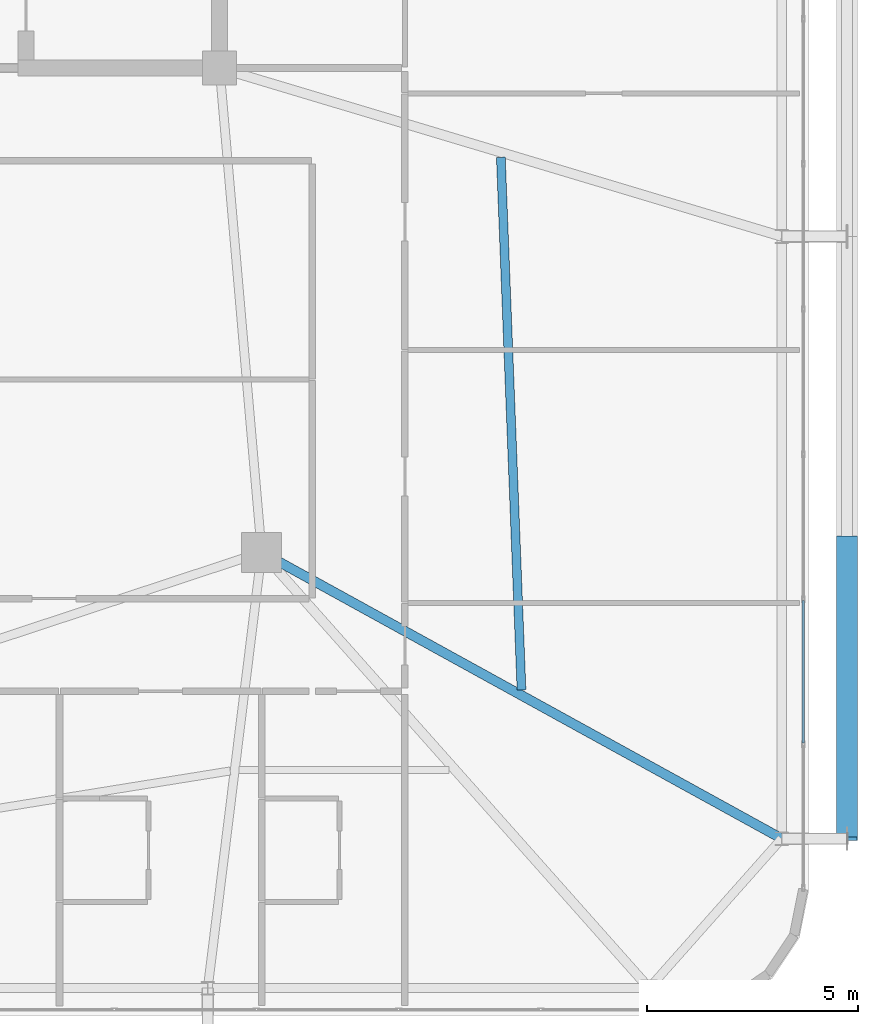
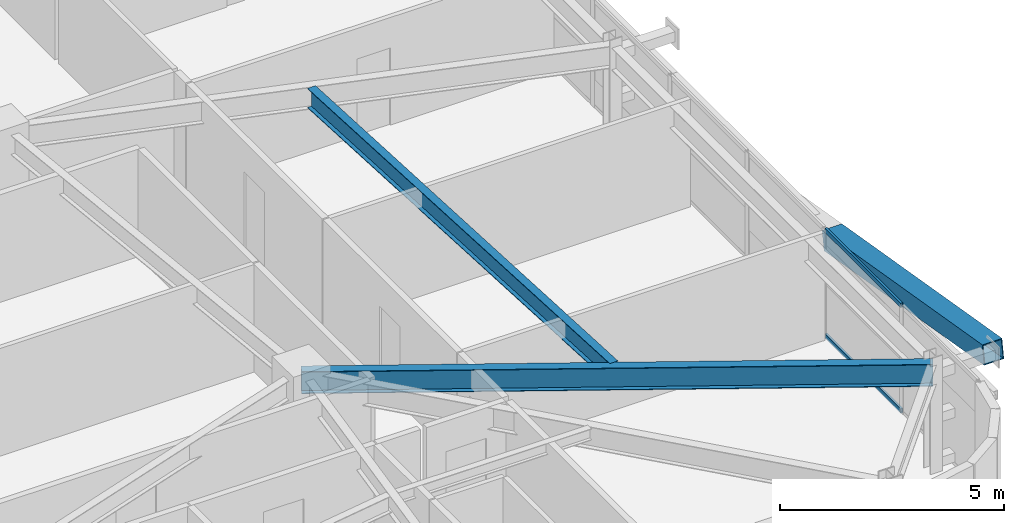
# One storey, part 25 of 59: 3 members, 2 beams, 1 element without a shape of its own.
"""IFC4 building model written with IfcOpenShell, lengths in metres."""

from ifc_helpers import new_model, si_unit, direction, frame, origin, origin_2d, place, context, subcontext, project, spatial, hollow_rectangle, i_section, extrude, source, transform, mapped, material, layer, layer_set, material_profile, profile_set, type_object, element, aggregate, save


model = new_model("IFC4")

# Units and contexts
model_context = context("Model", 3, precision=1e-05, world=origin(), true_north=direction((0.0, 1.0)))
body_context = subcontext(model_context, "Body", "Model", "MODEL_VIEW")
ifc_project = project(units=[si_unit("LENGTHUNIT", "METRE"), si_unit("AREAUNIT", "SQUARE_METRE"), si_unit("VOLUMEUNIT", "CUBIC_METRE"), si_unit("PLANEANGLEUNIT", "RADIAN"), si_unit("MASSUNIT", "GRAM", prefix="KILO")], contexts=[model_context])

# Site, building, storey
site_placement = place(None, origin())
site = spatial("IfcSite", under=ifc_project, at=site_placement, CompositionType="ELEMENT")
building_placement = place(site_placement, origin())
building = spatial("IfcBuilding", under=site, at=building_placement, Name="Taldren Reach Tower", CompositionType="ELEMENT")
storey_placement = place(building_placement, frame((0.0, 0.0, 26.25)))
storey = spatial("IfcBuildingStorey", under=building, at=storey_placement, Name="L07", CompositionType="ELEMENT", Elevation=26.25)

# Beams
ifc_material_1 = material(Name="Steel Gr 350 (350PLUS)", Category="steel")
ifc_material_profile_1 = material_profile(ifc_material_1, i_section(OverallWidth=0.22802734375, OverallDepth=0.60205078125, WebThickness=0.010498046875, FlangeThickness=0.014892578125, at=origin_2d()), Name="610UB101")
ifc_profile_set_1 = profile_set([ifc_material_profile_1], Name="Steel Gr 350 (350PLUS)")
beam_type_1 = type_object("IfcBeamType", Name="BM-UB610B", PredefinedType="BEAM", material=ifc_profile_set_1)
shared_shape_1 = source(origin(), body_context, "Body", "SweptSolid", [
    extrude(i_section(OverallWidth=0.22802734375, OverallDepth=0.60205078125, WebThickness=0.010498046875, FlangeThickness=0.014892578125, at=origin_2d()), origin(), (0.0, 0.0, 1.0), 14.098388671875),
])
beam_1_placement = place(storey_placement, frame((52.0, 12.5, 2.62890625), z_axis=(0.875991325783, -0.482326857175, 0.0), x_axis=(0.482326857175, 0.875991325783, 0.0)))
element("IfcBeam", 1, at=beam_1_placement, inside=storey, type_object=beam_type_1, Name="Primary floor girder B1-E1 L07", PredefinedType="BEAM", context=body_context, shape_type="MappedRepresentation", body=[
    mapped(shared_shape_1, transform((0.0, 0.0, 0.0), scale=1.0)),
])
ifc_material_profile_2 = material_profile(ifc_material_1, i_section(OverallWidth=0.208984375, OverallDepth=0.532958984375, WebThickness=0.01025390625, FlangeThickness=0.015625, at=origin_2d()), Name="530UB92.4")
ifc_profile_set_2 = profile_set([ifc_material_profile_2], Name="Steel Gr 350 (350PLUS)")
beam_type_2 = type_object("IfcBeamType", Name="BM-UB530A", PredefinedType="BEAM", material=ifc_profile_set_2)
shared_shape_2 = source(origin(), body_context, "Body", "SweptSolid", [
    extrude(i_section(OverallWidth=0.208984375, OverallDepth=0.532958984375, WebThickness=0.01025390625, FlangeThickness=0.015625, at=origin_2d()), origin(), (0.0, 0.0, 1.0), 12.65625),
])
beam_2_placement = place(storey_placement, frame((58.169921875, 9.23291015625, 2.66357421875), z_axis=(-0.0387346395, 0.99924953225, 0.0), x_axis=(-0.99924953225, -0.0387346395, 0.0)))
element("IfcBeam", 2, at=beam_2_placement, inside=storey, type_object=beam_type_2, Name="Secondary floor beam B1 J7 L07", PredefinedType="BEAM", context=body_context, shape_type="MappedRepresentation", body=[
    mapped(shared_shape_2, transform((0.0, 0.0, 0.0), scale=1.0)),
])

# Member
ifc_material_2 = material(Name="Steel Gr 450 (C450L0)", Category="steel")
ifc_material_profile_3 = material_profile(ifc_material_2, hollow_rectangle(XDim=0.510009765625, YDim=0.510009765625, WallThickness=0.02001953125, at=origin_2d()), Name="510x510x20.0SHS")
ifc_profile_set_3 = profile_set([ifc_material_profile_3], Name="Steel Gr 450 (C450L0)")
member_type_1 = type_object("IfcMemberType", Name="MB-EXO508", PredefinedType="BRACE", material=ifc_profile_set_3)
shared_shape_3 = source(origin(), body_context, "Body", "SweptSolid", [
    extrude(hollow_rectangle(XDim=0.510009765625, YDim=0.510009765625, WallThickness=0.02001953125, at=origin_2d()), origin(), (0.0, 0.0, 1.0), 7.252685546875),
])
member_1_placement = place(storey_placement, frame((65.89990234375, 12.85009765625, 1.43505859375), z_axis=(0.0, -0.985871360071, 0.167504213054), x_axis=(1.0, 0.0, 0.0)))
element("IfcMember", 3, at=member_1_placement, inside=storey, type_object=member_type_1, Name="Exoskeleton Diagrid Brace B1-E1 L07", PredefinedType="BRACE", context=body_context, shape_type="MappedRepresentation", body=[
    mapped(shared_shape_3, transform((0.0, 0.0, 0.0), scale=1.0)),
])

# Curtain wall, members
ifc_material_3 = material(Name="Aluminium and Low-E Glass Unitised System", Category="aluminium")
ifc_layer = layer(ifc_material_3, 0.159912109375)
ifc_layer_set = layer_set([ifc_layer], Name="Aluminium and Low-E Glass Unitised System")
curtain_wall_type = type_object("IfcCurtainWallType", Name="CW-SYS-2", PredefinedType="NOTDEFINED", material=ifc_layer_set)
curtain_wall_placement = place(storey_placement, origin())
curtain_wall = element("IfcCurtainWall", 4, at=curtain_wall_placement, inside=storey, type_object=curtain_wall_type, Name="Unitised curtain wall CW-L07-E", PredefinedType="NOTDEFINED")
ifc_material_4 = material(Name="Anodised Aluminium 6063-T6", Category="aluminium")
ifc_material_profile_4 = material_profile(ifc_material_4, hollow_rectangle(XDim=0.054931640625, YDim=0.1201171875, WallThickness=0.0029296875, at=origin_2d()), Name="ALU-120x55x3RHS")
ifc_profile_set_4 = profile_set([ifc_material_profile_4], Name="Anodised Aluminium 6063-T6")
member_type_2 = type_object("IfcMemberType", Name="CW-TRN-135", PredefinedType="USERDEFINED", material=ifc_profile_set_4)
shared_shape_4 = source(origin(), body_context, "Body", "SweptSolid", [
    extrude(hollow_rectangle(XDim=0.054931640625, YDim=0.1201171875, WallThickness=0.0029296875, at=origin_2d()), origin(), (0.0, 0.0, 1.0), 3.37939453125),
])
member_2_placement = place(storey_placement, frame((64.860107421875, 7.97705078125, 0.027587890625), z_axis=(0.0, 1.0, 0.0), x_axis=(-1.0, 0.0, 0.0)))
member_2 = element("IfcMember", 5, at=member_2_placement, type_object=member_type_2, Name="CW-2 transom 2.1", ObjectType="TRANSOM", PredefinedType="USERDEFINED", context=body_context, shape_type="MappedRepresentation", body=[
    mapped(shared_shape_4, transform((0.0, 0.0, 0.0), scale=1.0)),
])
member_3_placement = place(storey_placement, frame((64.860107421875, 7.97705078125, 2.902587890625), z_axis=(0.0, 1.0, 0.0), x_axis=(-1.0, 0.0, 0.0)))
member_3 = element("IfcMember", 6, at=member_3_placement, type_object=member_type_2, Name="CW-2 transom 2.2", ObjectType="TRANSOM", PredefinedType="USERDEFINED", context=body_context, shape_type="MappedRepresentation", body=[
    mapped(shared_shape_4, transform((0.0, 0.0, 0.0), scale=1.0)),
])
aggregate(curtain_wall, [member_2, member_3])

save(model, "model.ifc")
